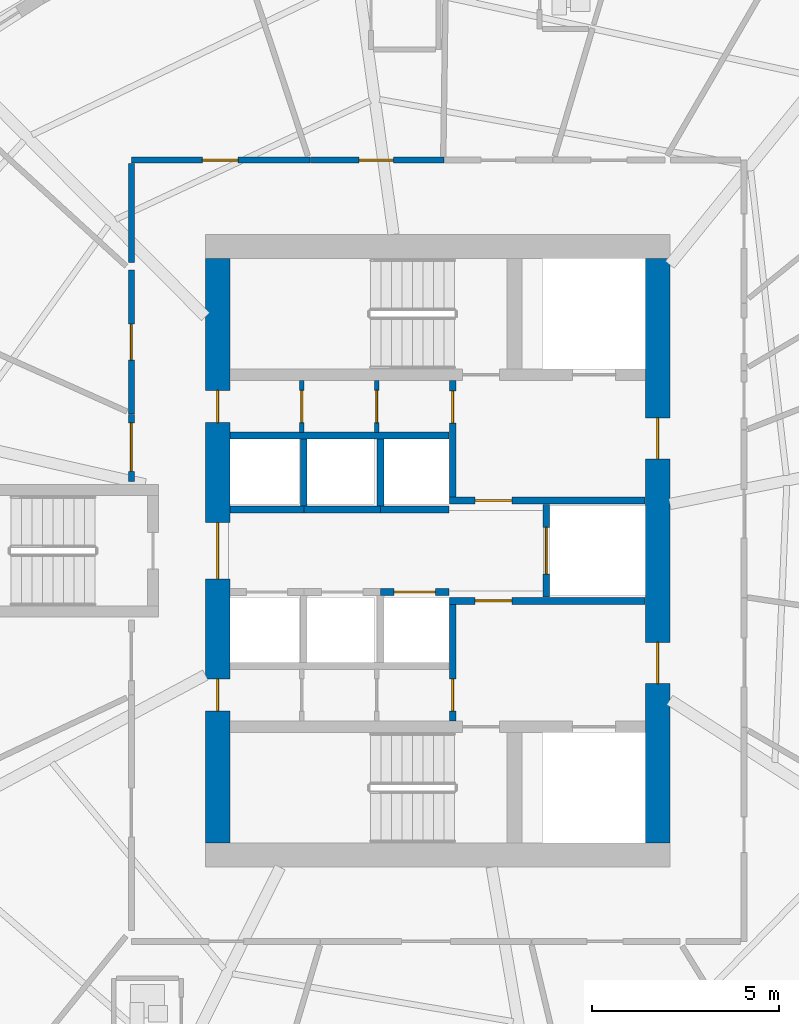
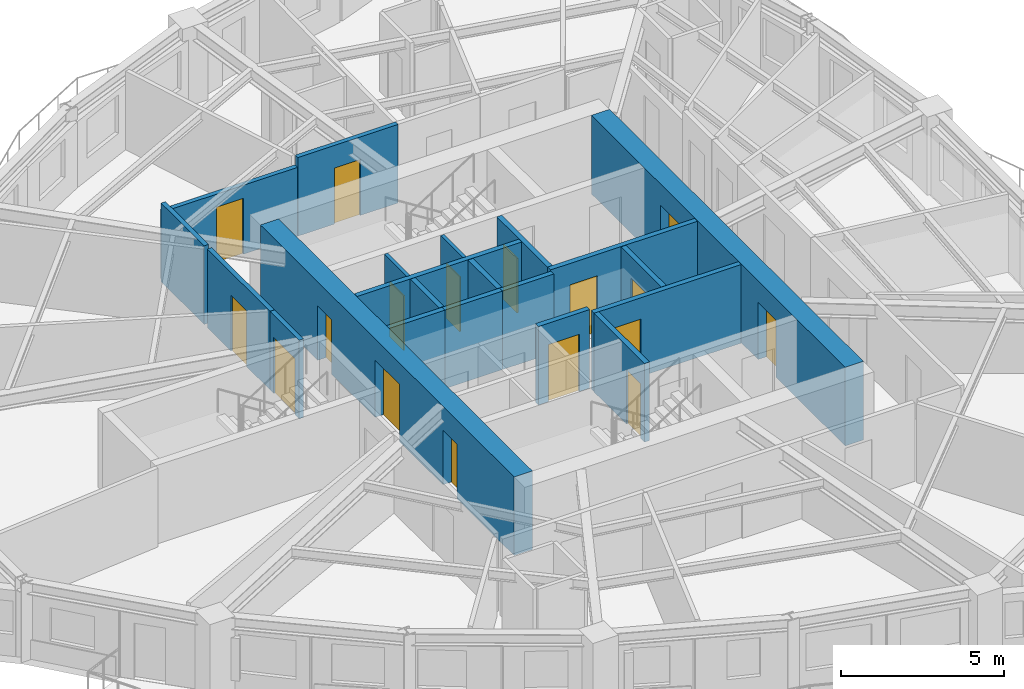
# One storey, part 5 of 12: 21 walls, 17 doors, 17 openings.
"""IFC4 building model written with IfcOpenShell, lengths in metres."""

from ifc_helpers import new_model, si_unit, direction, frame, frame_2d, origin, place, context, subcontext, project, spatial, rectangle, extrude, source, transform, mapped, material, layer, layer_set, type_object, element, fill, save


model = new_model("IFC4")

# Units and contexts
model_context = context("Model", 3, precision=1e-05, world=origin(), true_north=direction((0.0, 1.0)))
body_context = subcontext(model_context, "Body", "Model", "MODEL_VIEW")
ifc_project = project(units=[si_unit("LENGTHUNIT", "METRE"), si_unit("AREAUNIT", "SQUARE_METRE"), si_unit("VOLUMEUNIT", "CUBIC_METRE"), si_unit("PLANEANGLEUNIT", "RADIAN"), si_unit("MASSUNIT", "GRAM", prefix="KILO")], contexts=[model_context])

# Site, building, storey
site_placement = place(None, origin())
site = spatial("IfcSite", under=ifc_project, at=site_placement, CompositionType="ELEMENT")
building_placement = place(site_placement, origin())
building = spatial("IfcBuilding", under=site, at=building_placement, Name="Qafzar Sky-Pleat Residences", CompositionType="ELEMENT")
storey_placement = place(building_placement, frame((0.0, 0.0, 96.0)))
storey = spatial("IfcBuildingStorey", under=building, at=storey_placement, Name="L28", CompositionType="ELEMENT", Elevation=96.0)

# Wall, opening, door
ifc_material_1 = material(Name="Acoustic gypsum plasterboard partition", Category="gypsum")
ifc_layer_1 = layer(ifc_material_1, 0.159912109375)
ifc_layer_set_1 = layer_set([ifc_layer_1], Name="Acoustic gypsum plasterboard partition")
wall_type_1 = type_object("IfcWallType", Name="PART-COR-160", PredefinedType="PARTITIONING", material=ifc_layer_set_1)
wall_1_placement = place(storey_placement, frame((22.169921875, 36.429931640625, 0.0), z_axis=(0.0, 0.0, 1.0), x_axis=(1.0, 0.0, 0.0)))
wall_1 = element("IfcWall", 1, at=wall_1_placement, inside=storey, type_object=wall_type_1, Name="L28 Partition Wall PART-L28-PW-005", PredefinedType="PARTITIONING", context=body_context, shape_type="SweptSolid", body=[
    extrude(rectangle(XDim=4.76708984375, YDim=0.159912109375, at=frame_2d((2.383544921875, 0.0))), origin(), (0.0, 0.0, 1.0), 2.587890625),
])
opening_1_placement = place(wall_1_placement, frame((1.8955078125, 0.0, 0.0)))
opening_1 = element("IfcOpeningElement", 2, at=opening_1_placement, cuts=wall_1, Name="Opening ID-06", PredefinedType="OPENING", context=body_context, shape_type="SweptSolid", body=[
    extrude(rectangle(XDim=0.9599609375, YDim=2.10009765625, at=frame_2d((0.47998046875, 1.050048828125))), frame((0.0, 0.08984375, 0.0), z_axis=(0.0, -1.0, 0.0), x_axis=(1.0, 0.0, 0.0)), (0.0, 0.0, 1.0), 0.179931640625),
])
ifc_material_2 = material(Name="Timber-faced fire door", Category="wood")
door_type_1 = type_object("IfcDoorType", Name="DR-STD-960", OperationType="NOTDEFINED", PredefinedType="DOOR", material=ifc_material_2)
shared_shape_1 = source(origin(), body_context, "Body", "SweptSolid", [
    extrude(rectangle(XDim=0.9599609375, YDim=2.10009765625, at=frame_2d((0.47998046875, 1.050048828125))), frame((0.0, 0.02490234375, 0.0), z_axis=(0.0, -1.0, 0.0), x_axis=(1.0, 0.0, 0.0)), (0.0, 0.0, 1.0), 0.050048828125),
])
door_1_placement = place(opening_1_placement, origin())
door_1 = element("IfcDoor", 3, at=door_1_placement, inside=storey, type_object=door_type_1, Name="L28 Graduate Desk Workspace Door", OperationType="SINGLE_SWING_RIGHT", OverallHeight=2.10009765625, OverallWidth=0.9599609375, PredefinedType="DOOR", context=body_context, shape_type="MappedRepresentation", body=[
    mapped(shared_shape_1, transform((0.0, 0.0, 0.0), x_axis=(1.0, 0.0, 0.0), y_axis=(0.0, 1.0, 0.0), z_axis=(0.0, 0.0, 1.0), scale=1.0)),
])
fill(opening_1, door_1)

wall_2_placement = place(storey_placement, frame((22.169921875, 29.64990234375, 0.0), z_axis=(0.0, 0.0, 1.0), x_axis=(0.0, 1.0, 0.0)))
wall_2 = element("IfcWall", 4, at=wall_2_placement, inside=storey, type_object=wall_type_1, Name="L28 Partition Wall PART-L28-PW-008", PredefinedType="PARTITIONING", context=body_context, shape_type="SweptSolid", body=[
    extrude(rectangle(XDim=3.84716796875, YDim=0.159912109375, at=frame_2d((1.923583984375, 0.0))), origin(), (0.0, 0.0, 1.0), 2.949951171875),
])
opening_2_placement = place(wall_2_placement, frame((1.44091796875, 0.0, 0.0)))
opening_2 = element("IfcOpeningElement", 5, at=opening_2_placement, cuts=wall_2, Name="Opening ID-06", PredefinedType="OPENING", context=body_context, shape_type="SweptSolid", body=[
    extrude(rectangle(XDim=0.9599609375, YDim=2.10009765625, at=frame_2d((0.47998046875, 1.050048828125))), frame((0.0, 0.08984375, 0.0), z_axis=(0.0, -1.0, 0.0), x_axis=(1.0, 0.0, 0.0)), (0.0, 0.0, 1.0), 0.179931640625),
])
door_2_placement = place(opening_2_placement, origin())
door_2 = element("IfcDoor", 6, at=door_2_placement, inside=storey, type_object=door_type_1, Name="L28 Postdoctoral Admin Office Door", OperationType="SINGLE_SWING_RIGHT", OverallHeight=2.10009765625, OverallWidth=0.9599609375, PredefinedType="DOOR", context=body_context, shape_type="MappedRepresentation", body=[
    mapped(shared_shape_1, transform((0.0, 0.0, 0.0), x_axis=(1.0, 0.0, 0.0), y_axis=(0.0, 1.0, 0.0), z_axis=(0.0, 0.0, 1.0), scale=1.0)),
])
fill(opening_2, door_2)

wall_3_placement = place(storey_placement, frame((26.951904296875, 36.429931640625, 0.0), z_axis=(0.0, 0.0, 1.0), x_axis=(1.0, 0.0, 0.0)))
wall_3 = element("IfcWall", 7, at=wall_3_placement, inside=storey, type_object=wall_type_1, Name="L28 Partition Wall PART-L28-PW-010", PredefinedType="PARTITIONING", context=body_context, shape_type="SweptSolid", body=[
    extrude(rectangle(XDim=3.56201171875, YDim=0.159912109375, at=frame_2d((1.781005859375, 0.0))), origin(), (0.0, 0.0, 1.0), 2.949951171875),
])
opening_3_placement = place(wall_3_placement, frame((1.298095703125, 0.0, 0.0)))
opening_3 = element("IfcOpeningElement", 8, at=opening_3_placement, cuts=wall_3, Name="Opening ID-04", PredefinedType="OPENING", context=body_context, shape_type="SweptSolid", body=[
    extrude(rectangle(XDim=0.919921875, YDim=2.10009765625, at=frame_2d((0.4599609375, 1.050048828125))), frame((0.0, 0.08984375, 0.0), z_axis=(0.0, -1.0, 0.0), x_axis=(1.0, 0.0, 0.0)), (0.0, 0.0, 1.0), 0.179931640625),
])
door_type_2 = type_object("IfcDoorType", Name="DR-BED-920", OperationType="NOTDEFINED", PredefinedType="DOOR", material=ifc_material_2)
shared_shape_2 = source(origin(), body_context, "Body", "SweptSolid", [
    extrude(rectangle(XDim=0.919921875, YDim=2.10009765625, at=frame_2d((0.4599609375, 1.050048828125))), frame((0.0, 0.02490234375, 0.0), z_axis=(0.0, -1.0, 0.0), x_axis=(1.0, 0.0, 0.0)), (0.0, 0.0, 1.0), 0.050048828125),
])
door_3_placement = place(opening_3_placement, origin())
door_3 = element("IfcDoor", 9, at=door_3_placement, inside=storey, type_object=door_type_2, Name="L28 Co-Living Bedroom 4 Door", OperationType="SINGLE_SWING_RIGHT", OverallHeight=2.10009765625, OverallWidth=0.919921875, PredefinedType="DOOR", context=body_context, shape_type="MappedRepresentation", body=[
    mapped(shared_shape_2, transform((0.0, 0.0, 0.0), x_axis=(1.0, 0.0, 0.0), y_axis=(0.0, 1.0, 0.0), z_axis=(0.0, 0.0, 1.0), scale=1.0)),
])
fill(opening_3, door_3)

wall_4_placement = place(storey_placement, frame((22.169921875, 27.85009765625, 0.0), z_axis=(0.0, 0.0, 1.0), x_axis=(0.0, 1.0, 0.0)))
wall_4 = element("IfcWall", 10, at=wall_4_placement, inside=storey, type_object=wall_type_1, Name="L28 Partition Wall PART-L28-PW-019", PredefinedType="PARTITIONING", context=body_context, shape_type="SweptSolid", body=[
    extrude(rectangle(XDim=1.784912109375, YDim=0.159912109375, at=frame_2d((0.892578125, 0.0))), origin(), (0.0, 0.0, 1.0), 2.949951171875),
])
opening_4_placement = place(wall_4_placement, frame((0.266845703125, 0.0, 0.0)))
opening_4 = element("IfcOpeningElement", 11, at=opening_4_placement, cuts=wall_4, Name="Opening ID-05", PredefinedType="OPENING", context=body_context, shape_type="SweptSolid", body=[
    extrude(rectangle(XDim=1.300048828125, YDim=2.10009765625, at=frame_2d((0.64990234375, 1.050048828125))), frame((0.0, 0.08984375, 0.0), z_axis=(0.0, -1.0, 0.0), x_axis=(1.0, 0.0, 0.0)), (0.0, 0.0, 1.0), 0.179931640625),
])
door_type_3 = type_object("IfcDoorType", Name="DR-LNG-1300", OperationType="DOUBLE_DOOR_SINGLE_SWING", PredefinedType="DOOR", material=ifc_material_2)
shared_shape_3 = source(origin(), body_context, "Body", "SweptSolid", [
    extrude(rectangle(XDim=1.300048828125, YDim=2.10009765625, at=frame_2d((0.64990234375, 1.050048828125))), frame((0.0, 0.02490234375, 0.0), z_axis=(0.0, -1.0, 0.0), x_axis=(1.0, 0.0, 0.0)), (0.0, 0.0, 1.0), 0.050048828125),
])
door_4_placement = place(opening_4_placement, origin())
door_4 = element("IfcDoor", 12, at=door_4_placement, inside=storey, type_object=door_type_3, Name="L28 Academic Seminar Room Door", OperationType="DOUBLE_DOOR_SINGLE_SWING", OverallHeight=2.10009765625, OverallWidth=1.300048828125, PredefinedType="DOOR", context=body_context, shape_type="MappedRepresentation", body=[
    mapped(shared_shape_3, transform((0.0, 0.0, 0.0), x_axis=(1.0, 0.0, 0.0), y_axis=(0.0, 1.0, 0.0), z_axis=(0.0, 0.0, 1.0), scale=1.0)),
])
fill(opening_4, door_4)

# Wall
wall_5_placement = place(storey_placement, frame((22.169921875, 33.69140625, 0.0), z_axis=(0.0, 0.0, 1.0), x_axis=(0.0, 1.0, 0.0)))
element("IfcWall", 13, at=wall_5_placement, inside=storey, type_object=wall_type_1, Name="L28 Partition Wall PART-L28-PW-040", PredefinedType="PARTITIONING", context=body_context, shape_type="SweptSolid", body=[
    extrude(rectangle(XDim=2.650634765625, YDim=0.159912109375, at=frame_2d((1.3251953125, 0.0))), origin(), (0.0, 0.0, 1.0), 2.949951171875),
])

# Wall, opening, door
ifc_material_3 = material(Name="Concrete blockwork partition", Category="masonry")
ifc_layer_2 = layer(ifc_material_3, 0.179931640625)
ifc_layer_set_2 = layer_set([ifc_layer_2], Name="Concrete blockwork partition")
wall_type_2 = type_object("IfcWallType", Name="PART-SHAFT-180", PredefinedType="PARTITIONING", material=ifc_layer_set_2)
wall_6_placement = place(storey_placement, frame((30.75, 21.4599609375, 0.0), z_axis=(0.0, 0.0, 1.0), x_axis=(0.0, 1.0, 0.0)))
wall_6 = element("IfcWall", 14, at=wall_6_placement, inside=storey, type_object=wall_type_2, Name="L28 Partition Wall PART-L28-FFL1-W", PredefinedType="PARTITIONING", context=body_context, shape_type="SweptSolid", body=[
    extrude(rectangle(XDim=3.110107421875, YDim=0.179931640625, at=frame_2d((1.55517578125, 0.0))), origin(), (0.0, 0.0, 1.0), 2.949951171875),
])
opening_5_placement = place(wall_6_placement, frame((0.260009765625, 0.0, 0.0)))
opening_5 = element("IfcOpeningElement", 15, at=opening_5_placement, cuts=wall_6, Name="Opening ID-09", PredefinedType="OPENING", context=body_context, shape_type="SweptSolid", body=[
    extrude(rectangle(XDim=0.860107421875, YDim=2.050048828125, at=frame_2d((0.43017578125, 1.02490234375))), frame((0.0, 0.10009765625, 0.0), z_axis=(0.0, -1.0, 0.0), x_axis=(1.0, 0.0, 0.0)), (0.0, 0.0, 1.0), 0.199951171875),
])
door_type_4 = type_object("IfcDoorType", Name="DR-SVC-860", OperationType="NOTDEFINED", PredefinedType="DOOR", material=ifc_material_2)
shared_shape_4 = source(origin(), body_context, "Body", "SweptSolid", [
    extrude(rectangle(XDim=0.860107421875, YDim=2.050048828125, at=frame_2d((0.43017578125, 1.02490234375))), frame((0.0, 0.02490234375, 0.0), z_axis=(0.0, -1.0, 0.0), x_axis=(1.0, 0.0, 0.0)), (0.0, 0.0, 1.0), 0.050048828125),
])
door_5_placement = place(opening_5_placement, origin())
door_5 = element("IfcDoor", 16, at=door_5_placement, inside=storey, type_object=door_type_4, Name="L28 South Core Cupboard Door", OperationType="SINGLE_SWING_RIGHT", OverallHeight=2.050048828125, OverallWidth=0.860107421875, PredefinedType="DOOR", context=body_context, shape_type="MappedRepresentation", body=[
    mapped(shared_shape_4, transform((0.0, 0.0, 0.0), x_axis=(1.0, 0.0, 0.0), y_axis=(0.0, 1.0, 0.0), z_axis=(0.0, 0.0, 1.0), scale=1.0)),
])
fill(opening_5, door_5)

wall_7_placement = place(storey_placement, frame((30.669921875, 24.659912109375, 0.0), z_axis=(0.0, 0.0, 1.0), x_axis=(1.0, 0.0, 0.0)))
wall_7 = element("IfcWall", 17, at=wall_7_placement, inside=storey, type_object=wall_type_2, Name="L28 Partition Wall PART-L28-FFL1-N", PredefinedType="PARTITIONING", context=body_context, shape_type="SweptSolid", body=[
    extrude(rectangle(XDim=5.219970703125, YDim=0.179931640625, at=frame_2d((2.60986328125, 0.0))), origin(), (0.0, 0.0, 1.0), 2.949951171875),
])
opening_6_placement = place(wall_7_placement, frame((0.679931640625, 0.0, 0.0)))
opening_6 = element("IfcOpeningElement", 18, at=opening_6_placement, cuts=wall_7, Name="Opening ID-01", PredefinedType="OPENING", context=body_context, shape_type="SweptSolid", body=[
    extrude(rectangle(XDim=0.97998046875, YDim=2.14990234375, at=frame_2d((0.489990234375, 1.074951171875))), frame((0.0, 0.10009765625, 0.0), z_axis=(0.0, -1.0, 0.0), x_axis=(1.0, 0.0, 0.0)), (0.0, 0.0, 1.0), 0.199951171875),
])
door_type_5 = type_object("IfcDoorType", Name="DR-STAIR-980", OperationType="NOTDEFINED", PredefinedType="DOOR", material=ifc_material_2)
shared_shape_5 = source(origin(), body_context, "Body", "SweptSolid", [
    extrude(rectangle(XDim=0.97998046875, YDim=2.14990234375, at=frame_2d((0.489990234375, 1.074951171875))), frame((0.0, 0.02490234375, 0.0), z_axis=(0.0, -1.0, 0.0), x_axis=(1.0, 0.0, 0.0)), (0.0, 0.0, 1.0), 0.050048828125),
])
door_6_placement = place(opening_6_placement, origin())
door_6 = element("IfcDoor", 19, at=door_6_placement, inside=storey, type_object=door_type_5, Name="L28 Lift Lobby to South Firefighting Lobby Door", OperationType="SINGLE_SWING_LEFT", OverallHeight=2.14990234375, OverallWidth=0.97998046875, PredefinedType="DOOR", context=body_context, shape_type="MappedRepresentation", body=[
    mapped(shared_shape_5, transform((0.0, 0.0, 0.0), x_axis=(1.0, 0.0, 0.0), y_axis=(0.0, 1.0, 0.0), z_axis=(0.0, 0.0, 1.0), scale=1.0)),
])
fill(opening_6, door_6)

wall_8_placement = place(storey_placement, frame((30.75, 27.429931640625, 0.0), z_axis=(0.0, 0.0, 1.0), x_axis=(0.0, 1.0, 0.0)))
wall_8 = element("IfcWall", 20, at=wall_8_placement, inside=storey, type_object=wall_type_2, Name="L28 Partition Wall PART-L28-FFL2-W", PredefinedType="PARTITIONING", context=body_context, shape_type="SweptSolid", body=[
    extrude(rectangle(XDim=3.110107421875, YDim=0.179931640625, at=frame_2d((1.55517578125, 0.0))), origin(), (0.0, 0.0, 1.0), 2.949951171875),
])
opening_7_placement = place(wall_8_placement, frame((1.97998046875, 0.0, 0.0)))
opening_7 = element("IfcOpeningElement", 21, at=opening_7_placement, cuts=wall_8, Name="Opening ID-09", PredefinedType="OPENING", context=body_context, shape_type="SweptSolid", body=[
    extrude(rectangle(XDim=0.860107421875, YDim=2.050048828125, at=frame_2d((0.43017578125, 1.02490234375))), frame((0.0, 0.10009765625, 0.0), z_axis=(0.0, -1.0, 0.0), x_axis=(1.0, 0.0, 0.0)), (0.0, 0.0, 1.0), 0.199951171875),
])
door_7_placement = place(opening_7_placement, origin())
door_7 = element("IfcDoor", 22, at=door_7_placement, inside=storey, type_object=door_type_4, Name="L28 North Core Cupboard Door", OperationType="SINGLE_SWING_RIGHT", OverallHeight=2.050048828125, OverallWidth=0.860107421875, PredefinedType="DOOR", context=body_context, shape_type="MappedRepresentation", body=[
    mapped(shared_shape_4, transform((0.0, 0.0, 0.0), x_axis=(1.0, 0.0, 0.0), y_axis=(0.0, 1.0, 0.0), z_axis=(0.0, 0.0, 1.0), scale=1.0)),
])
fill(opening_7, door_7)

wall_9_placement = place(storey_placement, frame((30.669921875, 27.340087890625, 0.0), z_axis=(0.0, 0.0, 1.0), x_axis=(1.0, 0.0, 0.0)))
wall_9 = element("IfcWall", 23, at=wall_9_placement, inside=storey, type_object=wall_type_2, Name="L28 Partition Wall PART-L28-FFL2-S", PredefinedType="PARTITIONING", context=body_context, shape_type="SweptSolid", body=[
    extrude(rectangle(XDim=5.219970703125, YDim=0.179931640625, at=frame_2d((2.60986328125, 0.0))), origin(), (0.0, 0.0, 1.0), 2.949951171875),
])
opening_8_placement = place(wall_9_placement, frame((0.679931640625, 0.0, 0.0)))
opening_8 = element("IfcOpeningElement", 24, at=opening_8_placement, cuts=wall_9, Name="Opening ID-01", PredefinedType="OPENING", context=body_context, shape_type="SweptSolid", body=[
    extrude(rectangle(XDim=0.97998046875, YDim=2.14990234375, at=frame_2d((0.489990234375, 1.074951171875))), frame((0.0, 0.10009765625, 0.0), z_axis=(0.0, -1.0, 0.0), x_axis=(1.0, 0.0, 0.0)), (0.0, 0.0, 1.0), 0.199951171875),
])
door_8_placement = place(opening_8_placement, origin())
door_8 = element("IfcDoor", 25, at=door_8_placement, inside=storey, type_object=door_type_5, Name="L28 Lift Lobby to North Firefighting Lobby Door", OperationType="SINGLE_SWING_LEFT", OverallHeight=2.14990234375, OverallWidth=0.97998046875, PredefinedType="DOOR", context=body_context, shape_type="MappedRepresentation", body=[
    mapped(shared_shape_5, transform((0.0, 0.0, 0.0), x_axis=(1.0, 0.0, 0.0), y_axis=(0.0, 1.0, 0.0), z_axis=(0.0, 0.0, 1.0), scale=1.0)),
])
fill(opening_8, door_8)

wall_10_placement = place(storey_placement, frame((33.25, 24.760009765625, 0.0), z_axis=(0.0, 0.0, 1.0), x_axis=(0.0, 1.0, 0.0)))
wall_10 = element("IfcWall", 26, at=wall_10_placement, inside=storey, type_object=wall_type_2, Name="L28 Partition Wall PART-L28-SV1-W", PredefinedType="PARTITIONING", context=body_context, shape_type="SweptSolid", body=[
    extrude(rectangle(XDim=2.47998046875, YDim=0.179931640625, at=frame_2d((1.239990234375, 0.0))), origin(), (0.0, 0.0, 1.0), 2.949951171875),
])
opening_9_placement = place(wall_10_placement, frame((0.614990234375, 0.0, 0.0)))
opening_9 = element("IfcOpeningElement", 27, at=opening_9_placement, cuts=wall_10, Name="Opening LD-03", PredefinedType="OPENING", context=body_context, shape_type="SweptSolid", body=[
    extrude(rectangle(XDim=1.25, YDim=2.14990234375, at=frame_2d((0.625, 1.074951171875))), frame((0.0, 0.10009765625, 0.0), z_axis=(0.0, -1.0, 0.0), x_axis=(1.0, 0.0, 0.0)), (0.0, 0.0, 1.0), 0.199951171875),
])
ifc_material_4 = material(Name="Stainless steel sliding landing door", Category="steel")
door_type_6 = type_object("IfcDoorType", Name="DR-LIFT-SV", OperationType="DOUBLE_DOOR_SLIDING", PredefinedType="DOOR", material=ifc_material_4)
shared_shape_6 = source(origin(), body_context, "Body", "SweptSolid", [
    extrude(rectangle(XDim=1.25, YDim=2.14990234375, at=frame_2d((0.625, 1.074951171875))), frame((0.0, 0.02490234375, 0.0), z_axis=(0.0, -1.0, 0.0), x_axis=(1.0, 0.0, 0.0)), (0.0, 0.0, 1.0), 0.050048828125),
])
door_9_placement = place(opening_9_placement, origin())
door_9 = element("IfcDoor", 28, at=door_9_placement, inside=storey, type_object=door_type_6, Name="L28 Service Lift SV1 Landing Door", OperationType="DOUBLE_DOOR_SLIDING", OverallHeight=2.14990234375, OverallWidth=1.25, PredefinedType="DOOR", context=body_context, shape_type="MappedRepresentation", body=[
    mapped(shared_shape_6, transform((0.0, 0.0, 0.0), x_axis=(1.0, 0.0, 0.0), y_axis=(0.0, 1.0, 0.0), z_axis=(0.0, 0.0, 1.0), scale=1.0)),
])
fill(opening_9, door_9)

wall_11_placement = place(storey_placement, frame((28.824951171875, 24.89990234375, 0.0), z_axis=(0.0, 0.0, 1.0), x_axis=(1.0, 0.0, 0.0)))
wall_11 = element("IfcWall", 29, at=wall_11_placement, inside=storey, type_object=wall_type_2, Name="L28 Partition Wall PART-L28-P3-N", PredefinedType="PARTITIONING", context=body_context, shape_type="SweptSolid", body=[
    extrude(rectangle(XDim=1.824951171875, YDim=0.179931640625, at=frame_2d((0.91259765625, 0.0))), origin(), (0.0, 0.0, 1.0), 2.949951171875),
])
opening_10_placement = place(wall_11_placement, frame((0.362548828125, 0.0, 0.0)))
opening_10 = element("IfcOpeningElement", 30, at=opening_10_placement, cuts=wall_11, Name="Opening LD-01", PredefinedType="OPENING", context=body_context, shape_type="SweptSolid", body=[
    extrude(rectangle(XDim=1.10009765625, YDim=2.14990234375, at=frame_2d((0.550048828125, 1.074951171875))), frame((0.0, 0.10009765625, 0.0), z_axis=(0.0, -1.0, 0.0), x_axis=(1.0, 0.0, 0.0)), (0.0, 0.0, 1.0), 0.199951171875),
])
door_type_7 = type_object("IfcDoorType", Name="DR-LIFT-P", OperationType="DOUBLE_DOOR_SLIDING", PredefinedType="DOOR", material=ifc_material_4)
shared_shape_7 = source(origin(), body_context, "Body", "SweptSolid", [
    extrude(rectangle(XDim=1.10009765625, YDim=2.14990234375, at=frame_2d((0.550048828125, 1.074951171875))), frame((0.0, 0.02490234375, 0.0), z_axis=(0.0, -1.0, 0.0), x_axis=(1.0, 0.0, 0.0)), (0.0, 0.0, 1.0), 0.050048828125),
])
door_10_placement = place(opening_10_placement, origin())
door_10 = element("IfcDoor", 31, at=door_10_placement, inside=storey, type_object=door_type_7, Name="L28 Passenger Lift P3 Landing Door", OperationType="DOUBLE_DOOR_SLIDING", OverallHeight=2.14990234375, OverallWidth=1.10009765625, PredefinedType="DOOR", context=body_context, shape_type="MappedRepresentation", body=[
    mapped(shared_shape_7, transform((0.0, 0.0, 0.0), x_axis=(1.0, 0.0, 0.0), y_axis=(0.0, 1.0, 0.0), z_axis=(0.0, 0.0, 1.0), scale=1.0)),
])
fill(opening_10, door_10)

# Walls
wall_12_placement = place(storey_placement, frame((24.81005859375, 29.080078125, 0.0), z_axis=(0.0, 0.0, 1.0), x_axis=(1.0, 0.0, 0.0)))
element("IfcWall", 32, at=wall_12_placement, inside=storey, type_object=wall_type_2, Name="L28 Partition Wall PART-L28-P46-N", PredefinedType="PARTITIONING", context=body_context, shape_type="SweptSolid", body=[
    extrude(rectangle(XDim=5.83984375, YDim=0.179931640625, at=frame_2d((2.919921875, 0.0))), origin(), (0.0, 0.0, 1.0), 2.949951171875),
])
wall_13_placement = place(storey_placement, frame((24.81005859375, 27.10009765625, 0.0), z_axis=(0.0, 0.0, 1.0), x_axis=(1.0, 0.0, 0.0)))
element("IfcWall", 33, at=wall_13_placement, inside=storey, type_object=wall_type_2, Name="L28 Partition Wall PART-L28-P4-S", PredefinedType="PARTITIONING", context=body_context, shape_type="SweptSolid", body=[
    extrude(rectangle(XDim=1.96484375, YDim=0.179931640625, at=frame_2d((0.982421875, 0.0))), origin(), (0.0, 0.0, 1.0), 2.949951171875),
])
wall_14_placement = place(storey_placement, frame((26.77490234375, 27.10009765625, 0.0), z_axis=(0.0, 0.0, 1.0), x_axis=(1.0, 0.0, 0.0)))
element("IfcWall", 34, at=wall_14_placement, inside=storey, type_object=wall_type_2, Name="L28 Partition Wall PART-L28-P5-S", PredefinedType="PARTITIONING", context=body_context, shape_type="SweptSolid", body=[
    extrude(rectangle(XDim=2.050048828125, YDim=0.179931640625, at=frame_2d((1.02490234375, 0.0))), origin(), (0.0, 0.0, 1.0), 2.949951171875),
])
wall_15_placement = place(storey_placement, frame((26.77490234375, 27.199951171875, 0.0), z_axis=(0.0, 0.0, 1.0), x_axis=(0.0, 1.0, 0.0)))
element("IfcWall", 35, at=wall_15_placement, inside=storey, type_object=wall_type_2, Name="L28 Partition Wall PART-L28-P46-DIV-1", PredefinedType="PARTITIONING", context=body_context, shape_type="SweptSolid", body=[
    extrude(rectangle(XDim=1.780029296875, YDim=0.179931640625, at=frame_2d((0.89013671875, 0.0))), origin(), (0.0, 0.0, 1.0), 2.949951171875),
])
wall_16_placement = place(storey_placement, frame((28.824951171875, 27.10009765625, 0.0), z_axis=(0.0, 0.0, 1.0), x_axis=(1.0, 0.0, 0.0)))
element("IfcWall", 36, at=wall_16_placement, inside=storey, type_object=wall_type_2, Name="L28 Partition Wall PART-L28-P6-S", PredefinedType="PARTITIONING", context=body_context, shape_type="SweptSolid", body=[
    extrude(rectangle(XDim=1.824951171875, YDim=0.179931640625, at=frame_2d((0.91259765625, 0.0))), origin(), (0.0, 0.0, 1.0), 2.949951171875),
])
wall_17_placement = place(storey_placement, frame((28.824951171875, 27.199951171875, 0.0), z_axis=(0.0, 0.0, 1.0), x_axis=(0.0, 1.0, 0.0)))
element("IfcWall", 37, at=wall_17_placement, inside=storey, type_object=wall_type_2, Name="L28 Partition Wall PART-L28-P46-DIV-2", PredefinedType="PARTITIONING", context=body_context, shape_type="SweptSolid", body=[
    extrude(rectangle(XDim=1.780029296875, YDim=0.179931640625, at=frame_2d((0.89013671875, 0.0))), origin(), (0.0, 0.0, 1.0), 2.949951171875),
])

# Wall, opening, door
ifc_material_5 = material(Name="Gypsum plasterboard partition", Category="gypsum")
ifc_layer_3 = layer(ifc_material_5, 0.114990234375)
ifc_layer_set_3 = layer_set([ifc_layer_3], Name="Gypsum plasterboard partition")
wall_type_3 = type_object("IfcWallType", Name="PART-SVC-115", PredefinedType="PARTITIONING", material=ifc_layer_set_3)
wall_18_placement = place(storey_placement, frame((26.72509765625, 29.159912109375, 0.0), z_axis=(0.0, 0.0, 1.0), x_axis=(0.0, 1.0, 0.0)))
wall_18 = element("IfcWall", 38, at=wall_18_placement, inside=storey, type_object=wall_type_3, Name="L28 Partition Wall PART-L28-KC-NW-1", PredefinedType="PARTITIONING", context=body_context, shape_type="SweptSolid", body=[
    extrude(rectangle(XDim=1.380126953125, YDim=0.114990234375, at=frame_2d((0.68994140625, 0.0))), origin(), (0.0, 0.0, 1.0), 2.949951171875),
])
opening_11_placement = place(wall_18_placement, frame((0.260009765625, 0.0, 0.0)))
opening_11 = element("IfcOpeningElement", 39, at=opening_11_placement, cuts=wall_18, Name="Opening ID-09", PredefinedType="OPENING", context=body_context, shape_type="SweptSolid", body=[
    extrude(rectangle(XDim=0.860107421875, YDim=2.050048828125, at=frame_2d((0.43017578125, 1.02490234375))), frame((0.0, 0.0673828125, 0.0), z_axis=(0.0, -1.0, 0.0), x_axis=(1.0, 0.0, 0.0)), (0.0, 0.0, 1.0), 0.135009765625),
])
door_11_placement = place(opening_11_placement, origin())
door_11 = element("IfcDoor", 40, at=door_11_placement, inside=storey, type_object=door_type_4, Name="L28 Core North Cupboard 1 Door", OperationType="SINGLE_SWING_LEFT", OverallHeight=2.050048828125, OverallWidth=0.860107421875, PredefinedType="DOOR", context=body_context, shape_type="MappedRepresentation", body=[
    mapped(shared_shape_4, transform((0.0, 0.0, 0.0), x_axis=(1.0, 0.0, 0.0), y_axis=(0.0, 1.0, 0.0), z_axis=(0.0, 0.0, 1.0), scale=1.0)),
])
fill(opening_11, door_11)

wall_19_placement = place(storey_placement, frame((28.72509765625, 29.159912109375, 0.0), z_axis=(0.0, 0.0, 1.0), x_axis=(0.0, 1.0, 0.0)))
wall_19 = element("IfcWall", 41, at=wall_19_placement, inside=storey, type_object=wall_type_3, Name="L28 Partition Wall PART-L28-KC-NW-2", PredefinedType="PARTITIONING", context=body_context, shape_type="SweptSolid", body=[
    extrude(rectangle(XDim=1.380126953125, YDim=0.114990234375, at=frame_2d((0.68994140625, 0.0))), origin(), (0.0, 0.0, 1.0), 2.949951171875),
])
opening_12_placement = place(wall_19_placement, frame((0.260009765625, 0.0, 0.0)))
opening_12 = element("IfcOpeningElement", 42, at=opening_12_placement, cuts=wall_19, Name="Opening ID-09", PredefinedType="OPENING", context=body_context, shape_type="SweptSolid", body=[
    extrude(rectangle(XDim=0.860107421875, YDim=2.050048828125, at=frame_2d((0.43017578125, 1.02490234375))), frame((0.0, 0.0673828125, 0.0), z_axis=(0.0, -1.0, 0.0), x_axis=(1.0, 0.0, 0.0)), (0.0, 0.0, 1.0), 0.135009765625),
])
door_12_placement = place(opening_12_placement, origin())
door_12 = element("IfcDoor", 43, at=door_12_placement, inside=storey, type_object=door_type_4, Name="L28 Core North Cupboard 2 Door", OperationType="SINGLE_SWING_LEFT", OverallHeight=2.050048828125, OverallWidth=0.860107421875, PredefinedType="DOOR", context=body_context, shape_type="MappedRepresentation", body=[
    mapped(shared_shape_4, transform((0.0, 0.0, 0.0), x_axis=(1.0, 0.0, 0.0), y_axis=(0.0, 1.0, 0.0), z_axis=(0.0, 0.0, 1.0), scale=1.0)),
])
fill(opening_12, door_12)

# Wall, openings, doors
ifc_material_6 = material(Name="Concrete C60/75", Category="concrete")
ifc_layer_4 = layer(ifc_material_6, 0.64990234375)
ifc_layer_set_4 = layer_set([ifc_layer_4], Name="Concrete C60/75")
wall_type_4 = type_object("IfcWallType", Name="WALL-SHEAR-650", PredefinedType="SHEAR", material=ifc_layer_set_4)
wall_20_placement = place(storey_placement, frame((24.47509765625, 33.800048828125, 0.0), z_axis=(0.0, 0.0, 1.0), x_axis=(0.0, -1.0, 0.0)))
wall_20 = element("IfcWall", 44, at=wall_20_placement, inside=storey, type_object=wall_type_4, Name="L28 CORE wall W", PredefinedType="SHEAR", context=body_context, shape_type="SweptSolid", body=[
    extrude(rectangle(XDim=15.60009765625, YDim=0.64990234375, at=frame_2d((7.800048828125, 0.0))), origin(), (0.0, 0.0, 1.0), 2.949951171875),
])
opening_13_placement = place(wall_20_placement, frame((7.050048828125, 0.0, 0.0)))
opening_13 = element("IfcOpeningElement", 45, at=opening_13_placement, cuts=wall_20, Name="Opening ID-03", PredefinedType="OPENING", context=body_context, shape_type="SweptSolid", body=[
    extrude(rectangle(XDim=1.5, YDim=2.14990234375, at=frame_2d((0.75, 1.074951171875))), frame((0.0, 0.3349609375, 0.0), z_axis=(0.0, -1.0, 0.0), x_axis=(1.0, 0.0, 0.0)), (0.0, 0.0, 1.0), 0.669921875),
])
opening_14_placement = place(wall_20_placement, frame((3.52001953125, 0.0, 0.0)))
opening_14 = element("IfcOpeningElement", 46, at=opening_14_placement, cuts=wall_20, Name="Opening ID-09", PredefinedType="OPENING", context=body_context, shape_type="SweptSolid", body=[
    extrude(rectangle(XDim=0.860107421875, YDim=2.050048828125, at=frame_2d((0.43017578125, 1.02490234375))), frame((0.0, 0.3349609375, 0.0), z_axis=(0.0, -1.0, 0.0), x_axis=(1.0, 0.0, 0.0)), (0.0, 0.0, 1.0), 0.669921875),
])
opening_15_placement = place(wall_20_placement, frame((11.219970703125, 0.0, 0.0)))
opening_15 = element("IfcOpeningElement", 47, at=opening_15_placement, cuts=wall_20, Name="Opening ID-09", PredefinedType="OPENING", context=body_context, shape_type="SweptSolid", body=[
    extrude(rectangle(XDim=0.860107421875, YDim=2.050048828125, at=frame_2d((0.43017578125, 1.02490234375))), frame((0.0, 0.3349609375, 0.0), z_axis=(0.0, -1.0, 0.0), x_axis=(1.0, 0.0, 0.0)), (0.0, 0.0, 1.0), 0.669921875),
])
door_type_8 = type_object("IfcDoorType", Name="DR-COR-1500", OperationType="DOUBLE_DOOR_SINGLE_SWING", PredefinedType="DOOR", material=ifc_material_2)
shared_shape_8 = source(origin(), body_context, "Body", "SweptSolid", [
    extrude(rectangle(XDim=1.5, YDim=2.14990234375, at=frame_2d((0.75, 1.074951171875))), frame((0.0, 0.02490234375, 0.0), z_axis=(0.0, -1.0, 0.0), x_axis=(1.0, 0.0, 0.0)), (0.0, 0.0, 1.0), 0.050048828125),
])
door_13_placement = place(opening_13_placement, origin())
door_13 = element("IfcDoor", 48, at=door_13_placement, inside=storey, type_object=door_type_8, Name="L28 Lift Lobby West Double Door", OperationType="DOUBLE_DOOR_SINGLE_SWING", OverallHeight=2.14990234375, OverallWidth=1.5, PredefinedType="DOOR", context=body_context, shape_type="MappedRepresentation", body=[
    mapped(shared_shape_8, transform((0.0, 0.0, 0.0), x_axis=(1.0, 0.0, 0.0), y_axis=(0.0, 1.0, 0.0), z_axis=(0.0, 0.0, 1.0), scale=1.0)),
])
fill(opening_13, door_13)
door_14_placement = place(opening_14_placement, origin())
door_14 = element("IfcDoor", 49, at=door_14_placement, inside=storey, type_object=door_type_4, Name="L28 Core North-West Service Door", OperationType="SINGLE_SWING_RIGHT", OverallHeight=2.050048828125, OverallWidth=0.860107421875, PredefinedType="DOOR", context=body_context, shape_type="MappedRepresentation", body=[
    mapped(shared_shape_4, transform((0.0, 0.0, 0.0), x_axis=(1.0, 0.0, 0.0), y_axis=(0.0, 1.0, 0.0), z_axis=(0.0, 0.0, 1.0), scale=1.0)),
])
fill(opening_14, door_14)
door_15_placement = place(opening_15_placement, origin())
door_15 = element("IfcDoor", 50, at=door_15_placement, inside=storey, type_object=door_type_4, Name="L28 Core South-West Service Door", OperationType="SINGLE_SWING_LEFT", OverallHeight=2.050048828125, OverallWidth=0.860107421875, PredefinedType="DOOR", context=body_context, shape_type="MappedRepresentation", body=[
    mapped(shared_shape_4, transform((0.0, 0.0, 0.0), x_axis=(1.0, 0.0, 0.0), y_axis=(0.0, 1.0, 0.0), z_axis=(0.0, 0.0, 1.0), scale=1.0)),
])
fill(opening_15, door_15)

wall_21_placement = place(storey_placement, frame((36.22509765625, 18.199951171875, 0.0), z_axis=(0.0, 0.0, 1.0), x_axis=(0.0, 1.0, 0.0)))
wall_21 = element("IfcWall", 51, at=wall_21_placement, inside=storey, type_object=wall_type_4, Name="L28 CORE wall E", PredefinedType="SHEAR", context=body_context, shape_type="SweptSolid", body=[
    extrude(rectangle(XDim=15.60009765625, YDim=0.64990234375, at=frame_2d((7.800048828125, 0.0))), origin(), (0.0, 0.0, 1.0), 2.949951171875),
])
opening_16_placement = place(wall_21_placement, frame((4.25, 0.0, 0.0)))
opening_16 = element("IfcOpeningElement", 52, at=opening_16_placement, cuts=wall_21, Name="Opening ID-02", PredefinedType="OPENING", context=body_context, shape_type="SweptSolid", body=[
    extrude(rectangle(XDim=1.10009765625, YDim=2.14990234375, at=frame_2d((0.550048828125, 1.074951171875))), frame((0.0, 0.3349609375, 0.0), z_axis=(0.0, -1.0, 0.0), x_axis=(1.0, 0.0, 0.0)), (0.0, 0.0, 1.0), 0.669921875),
])
opening_17_placement = place(wall_21_placement, frame((10.25, 0.0, 0.0)))
opening_17 = element("IfcOpeningElement", 53, at=opening_17_placement, cuts=wall_21, Name="Opening ID-02", PredefinedType="OPENING", context=body_context, shape_type="SweptSolid", body=[
    extrude(rectangle(XDim=1.10009765625, YDim=2.14990234375, at=frame_2d((0.550048828125, 1.074951171875))), frame((0.0, 0.3349609375, 0.0), z_axis=(0.0, -1.0, 0.0), x_axis=(1.0, 0.0, 0.0)), (0.0, 0.0, 1.0), 0.669921875),
])
door_type_9 = type_object("IfcDoorType", Name="DR-FFL-1100", OperationType="NOTDEFINED", PredefinedType="DOOR", material=ifc_material_2)
door_16_placement = place(opening_16_placement, origin())
door_16 = element("IfcDoor", 54, at=door_16_placement, inside=storey, type_object=door_type_9, Name="L28 Firefighting Lobby South Corridor Door", OperationType="SINGLE_SWING_RIGHT", OverallHeight=2.14990234375, OverallWidth=1.10009765625, PredefinedType="DOOR", context=body_context, shape_type="MappedRepresentation", body=[
    mapped(shared_shape_7, transform((0.0, 0.0, 0.0), x_axis=(1.0, 0.0, 0.0), y_axis=(0.0, 1.0, 0.0), z_axis=(0.0, 0.0, 1.0), scale=1.0)),
])
fill(opening_16, door_16)
door_17_placement = place(opening_17_placement, origin())
door_17 = element("IfcDoor", 55, at=door_17_placement, inside=storey, type_object=door_type_9, Name="L28 Firefighting Lobby North Corridor Door", OperationType="SINGLE_SWING_LEFT", OverallHeight=2.14990234375, OverallWidth=1.10009765625, PredefinedType="DOOR", context=body_context, shape_type="MappedRepresentation", body=[
    mapped(shared_shape_7, transform((0.0, 0.0, 0.0), x_axis=(1.0, 0.0, 0.0), y_axis=(0.0, 1.0, 0.0), z_axis=(0.0, 0.0, 1.0), scale=1.0)),
])
fill(opening_17, door_17)

save(model, "model.ifc")
